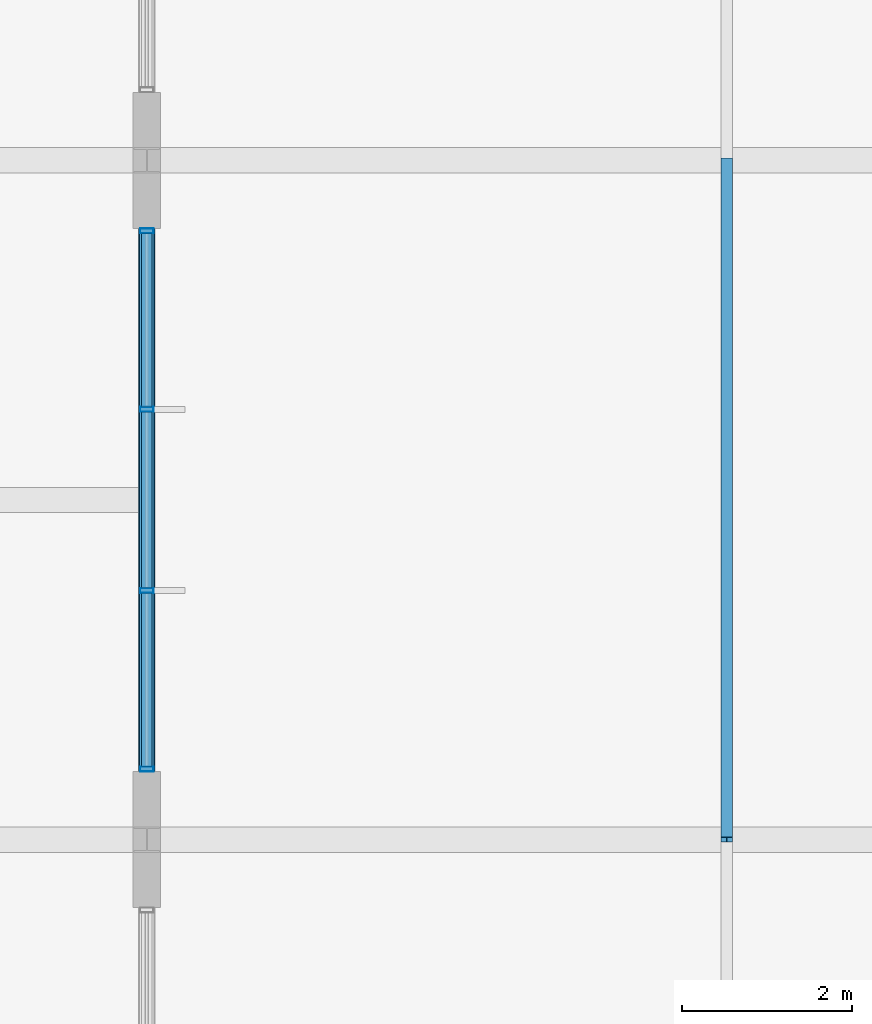
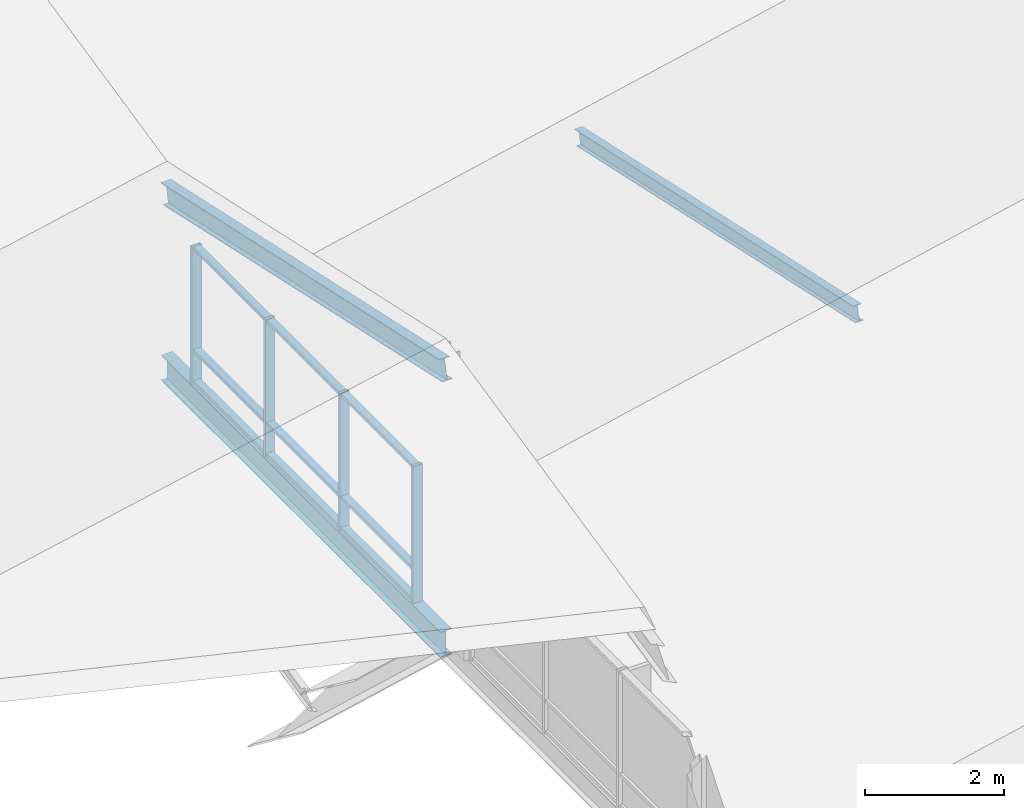
# One storey, part 48 of 109: 14 members, 2 beams, 1 element without a shape of its own.
"""IFC4 building model written with IfcOpenShell, lengths in metres."""

from ifc_helpers import new_model, si_unit, direction, frame, origin, origin_2d, place, context, subcontext, project, spatial, hollow_rectangle, i_section, extrude, material, material_profile, profile_set, type_object, element, aggregate, save


model = new_model("IFC4")

# Units and contexts
model_context = context("Model", 3, precision=1e-05, world=origin(), true_north=direction((0.0, 1.0)))
body_context = subcontext(model_context, "Body", "Model", "MODEL_VIEW")
ifc_project = project(units=[si_unit("LENGTHUNIT", "METRE"), si_unit("AREAUNIT", "SQUARE_METRE"), si_unit("VOLUMEUNIT", "CUBIC_METRE"), si_unit("PLANEANGLEUNIT", "RADIAN"), si_unit("MASSUNIT", "GRAM", prefix="KILO")], contexts=[model_context])

# Site, building, storey
site_placement = place(None, origin())
site = spatial("IfcSite", under=ifc_project, at=site_placement, CompositionType="ELEMENT")
building_placement = place(site_placement, origin())
building = spatial("IfcBuilding", under=site, at=building_placement, Name="Zavelmont Quarter", CompositionType="ELEMENT")
storey_placement = place(building_placement, frame((0.0, 0.0, 8.0)))
storey = spatial("IfcBuildingStorey", under=building, at=storey_placement, Name="L02", CompositionType="ELEMENT", Elevation=8.0)

# Beams
ifc_material_1 = material(Name="Steel S355", Category="steel")
ifc_material_profile_1 = material_profile(ifc_material_1, i_section(OverallWidth=0.18994140625, OverallDepth=0.449951171875, WebThickness=0.009521484375, FlangeThickness=0.0146484375, at=origin_2d()), Name="IPE 450")
ifc_profile_set_1 = profile_set([ifc_material_profile_1], Name="Steel S355")
beam_type_1 = type_object("IfcBeamType", Name="BM12", PredefinedType="BEAM", material=ifc_profile_set_1)
beam_1_placement = place(storey_placement, frame((147.300048828125, 62.0, -0.5849609375), z_axis=(0.0, 1.0, 0.0), x_axis=(-1.0, 0.0, 0.0)))
element("IfcBeam", 1, at=beam_1_placement, inside=storey, type_object=beam_type_1, Name="L02 beam BM12 22/K to 22/L", PredefinedType="BEAM", context=body_context, shape_type="SweptSolid", body=[
    extrude(i_section(OverallWidth=0.18994140625, OverallDepth=0.449951171875, WebThickness=0.009521484375, FlangeThickness=0.0146484375, at=origin_2d()), origin(), (0.0, 0.0, 1.0), 8.0),
])
ifc_material_profile_2 = material_profile(ifc_material_1, i_section(OverallWidth=0.169921875, OverallDepth=0.360107421875, WebThickness=0.008056640625, FlangeThickness=0.0126953125, at=origin_2d()), Name="IPE 360")
ifc_profile_set_2 = profile_set([ifc_material_profile_2], Name="Steel S355")
beam_type_2 = type_object("IfcBeamType", Name="BM13", PredefinedType="BEAM", material=ifc_profile_set_2)
beam_2_placement = place(storey_placement, frame((147.300048828125, 62.0, 4.2099609375), z_axis=(0.0, 0.976900017396, -0.213696878805), x_axis=(-1.0, 0.0, 0.0)))
element("IfcBeam", 2, at=beam_2_placement, inside=storey, type_object=beam_type_2, Name="L02 beam BM13 22/K to 22/L", PredefinedType="BEAM", context=body_context, shape_type="SweptSolid", body=[
    extrude(i_section(OverallWidth=0.169921875, OverallDepth=0.360107421875, WebThickness=0.008056640625, FlangeThickness=0.0126953125, at=origin_2d()), origin(), (0.0, 0.0, 1.0), 8.189208984375),
])

# Curtain wall, members
ifc_material_2 = material(Name="Thermally broken aluminium and double low-E safety glazing", Category="aluminium")
curtain_wall_type = type_object("IfcCurtainWallType", Name="CW-640X240", PredefinedType="NOTDEFINED", material=ifc_material_2)
curtain_wall_placement = place(storey_placement, origin())
curtain_wall = element("IfcCurtainWall", 3, at=curtain_wall_placement, inside=storey, type_object=curtain_wall_type, Name="L02 unitised curtain wall CW-640X240", PredefinedType="NOTDEFINED")
ifc_material_3 = material(Name="Powder-coated aluminium EN AW-6063-T6", Category="aluminium")
ifc_material_profile_3 = material_profile(ifc_material_3, hollow_rectangle(XDim=0.06005859375, YDim=0.159912109375, WallThickness=0.00390625, at=origin_2d()), Name="CWM60X160")
ifc_profile_set_3 = profile_set([ifc_material_profile_3], Name="Powder-coated aluminium EN AW-6063-T6")
member_type_1 = type_object("IfcMemberType", Name="CWM01", PredefinedType="MULLION", material=ifc_profile_set_3)
member_1_placement = place(storey_placement, frame((147.300048828125, 62.830078125, -0.360107421875), z_axis=(0.0, 0.0, 1.0), x_axis=(0.0, 1.0, 0.0)))
member_1 = element("IfcMember", 4, at=member_1_placement, type_object=member_type_1, Name="CW-640X240 mullion 1", PredefinedType="MULLION", context=body_context, shape_type="SweptSolid", body=[
    extrude(hollow_rectangle(XDim=0.06005859375, YDim=0.159912109375, WallThickness=0.00390625, at=origin_2d()), origin(), (0.0, 0.0, 1.0), 2.400146484375),
])
member_2_placement = place(storey_placement, frame((147.300048828125, 64.933349609375, -0.360107421875), z_axis=(0.0, 0.0, 1.0), x_axis=(0.0, 1.0, 0.0)))
member_2 = element("IfcMember", 5, at=member_2_placement, type_object=member_type_1, Name="CW-640X240 mullion 2", PredefinedType="MULLION", context=body_context, shape_type="SweptSolid", body=[
    extrude(hollow_rectangle(XDim=0.06005859375, YDim=0.159912109375, WallThickness=0.00390625, at=origin_2d()), origin(), (0.0, 0.0, 1.0), 2.400146484375),
])
member_3_placement = place(storey_placement, frame((147.300048828125, 67.066650390625, -0.360107421875), z_axis=(0.0, 0.0, 1.0), x_axis=(0.0, 1.0, 0.0)))
member_3 = element("IfcMember", 6, at=member_3_placement, type_object=member_type_1, Name="CW-640X240 mullion 3", PredefinedType="MULLION", context=body_context, shape_type="SweptSolid", body=[
    extrude(hollow_rectangle(XDim=0.06005859375, YDim=0.159912109375, WallThickness=0.00390625, at=origin_2d()), origin(), (0.0, 0.0, 1.0), 2.400146484375),
])
member_4_placement = place(storey_placement, frame((147.300048828125, 69.169921875, -0.360107421875), z_axis=(0.0, 0.0, 1.0), x_axis=(0.0, 1.0, 0.0)))
member_4 = element("IfcMember", 7, at=member_4_placement, type_object=member_type_1, Name="CW-640X240 mullion 4", PredefinedType="MULLION", context=body_context, shape_type="SweptSolid", body=[
    extrude(hollow_rectangle(XDim=0.06005859375, YDim=0.159912109375, WallThickness=0.00390625, at=origin_2d()), origin(), (0.0, 0.0, 1.0), 2.400146484375),
])
ifc_material_profile_4 = material_profile(ifc_material_3, hollow_rectangle(XDim=0.1201171875, YDim=0.06005859375, WallThickness=0.00390625, at=origin_2d()), Name="CWT60X120")
ifc_profile_set_4 = profile_set([ifc_material_profile_4], Name="Powder-coated aluminium EN AW-6063-T6")
member_type_2 = type_object("IfcMemberType", Name="CWT01", PredefinedType="NOTDEFINED", material=ifc_profile_set_4)
member_5_placement = place(storey_placement, frame((147.300048828125, 62.860107421875, -0.330078125), z_axis=(0.0, 1.0, 0.0), x_axis=(-1.0, 0.0, 0.0)))
member_5 = element("IfcMember", 8, at=member_5_placement, type_object=member_type_2, Name="CW-640X240 transom 1.1", ObjectType="TRANSOM", PredefinedType="USERDEFINED", context=body_context, shape_type="SweptSolid", body=[
    extrude(hollow_rectangle(XDim=0.1201171875, YDim=0.06005859375, WallThickness=0.00390625, at=origin_2d()), origin(), (0.0, 0.0, 1.0), 2.043212890625),
])
member_6_placement = place(storey_placement, frame((147.300048828125, 62.860107421875, 0.216064453125), z_axis=(0.0, 1.0, 0.0), x_axis=(-1.0, 0.0, 0.0)))
member_6 = element("IfcMember", 9, at=member_6_placement, type_object=member_type_2, Name="CW-640X240 transom 1.2", ObjectType="TRANSOM", PredefinedType="USERDEFINED", context=body_context, shape_type="SweptSolid", body=[
    extrude(hollow_rectangle(XDim=0.1201171875, YDim=0.06005859375, WallThickness=0.00390625, at=origin_2d()), origin(), (0.0, 0.0, 1.0), 2.043212890625),
])
member_7_placement = place(storey_placement, frame((147.300048828125, 62.860107421875, 2.010009765625), z_axis=(0.0, 1.0, 0.0), x_axis=(-1.0, 0.0, 0.0)))
member_7 = element("IfcMember", 10, at=member_7_placement, type_object=member_type_2, Name="CW-640X240 transom 1.3", ObjectType="TRANSOM", PredefinedType="USERDEFINED", context=body_context, shape_type="SweptSolid", body=[
    extrude(hollow_rectangle(XDim=0.1201171875, YDim=0.06005859375, WallThickness=0.00390625, at=origin_2d()), origin(), (0.0, 0.0, 1.0), 2.043212890625),
])
member_8_placement = place(storey_placement, frame((147.300048828125, 64.96337890625, -0.330078125), z_axis=(0.0, 1.0, 0.0), x_axis=(-1.0, 0.0, 0.0)))
member_8 = element("IfcMember", 11, at=member_8_placement, type_object=member_type_2, Name="CW-640X240 transom 2.1", ObjectType="TRANSOM", PredefinedType="USERDEFINED", context=body_context, shape_type="SweptSolid", body=[
    extrude(hollow_rectangle(XDim=0.1201171875, YDim=0.06005859375, WallThickness=0.00390625, at=origin_2d()), origin(), (0.0, 0.0, 1.0), 2.0732421875),
])
member_9_placement = place(storey_placement, frame((147.300048828125, 64.96337890625, 0.216064453125), z_axis=(0.0, 1.0, 0.0), x_axis=(-1.0, 0.0, 0.0)))
member_9 = element("IfcMember", 12, at=member_9_placement, type_object=member_type_2, Name="CW-640X240 transom 2.2", ObjectType="TRANSOM", PredefinedType="USERDEFINED", context=body_context, shape_type="SweptSolid", body=[
    extrude(hollow_rectangle(XDim=0.1201171875, YDim=0.06005859375, WallThickness=0.00390625, at=origin_2d()), origin(), (0.0, 0.0, 1.0), 2.0732421875),
])
member_10_placement = place(storey_placement, frame((147.300048828125, 64.96337890625, 2.010009765625), z_axis=(0.0, 1.0, 0.0), x_axis=(-1.0, 0.0, 0.0)))
member_10 = element("IfcMember", 13, at=member_10_placement, type_object=member_type_2, Name="CW-640X240 transom 2.3", ObjectType="TRANSOM", PredefinedType="USERDEFINED", context=body_context, shape_type="SweptSolid", body=[
    extrude(hollow_rectangle(XDim=0.1201171875, YDim=0.06005859375, WallThickness=0.00390625, at=origin_2d()), origin(), (0.0, 0.0, 1.0), 2.0732421875),
])
member_11_placement = place(storey_placement, frame((147.300048828125, 67.0966796875, -0.330078125), z_axis=(0.0, 1.0, 0.0), x_axis=(-1.0, 0.0, 0.0)))
member_11 = element("IfcMember", 14, at=member_11_placement, type_object=member_type_2, Name="CW-640X240 transom 3.1", ObjectType="TRANSOM", PredefinedType="USERDEFINED", context=body_context, shape_type="SweptSolid", body=[
    extrude(hollow_rectangle(XDim=0.1201171875, YDim=0.06005859375, WallThickness=0.00390625, at=origin_2d()), origin(), (0.0, 0.0, 1.0), 2.043212890625),
])
member_12_placement = place(storey_placement, frame((147.300048828125, 67.0966796875, 0.216064453125), z_axis=(0.0, 1.0, 0.0), x_axis=(-1.0, 0.0, 0.0)))
member_12 = element("IfcMember", 15, at=member_12_placement, type_object=member_type_2, Name="CW-640X240 transom 3.2", ObjectType="TRANSOM", PredefinedType="USERDEFINED", context=body_context, shape_type="SweptSolid", body=[
    extrude(hollow_rectangle(XDim=0.1201171875, YDim=0.06005859375, WallThickness=0.00390625, at=origin_2d()), origin(), (0.0, 0.0, 1.0), 2.043212890625),
])
member_13_placement = place(storey_placement, frame((147.300048828125, 67.0966796875, 2.010009765625), z_axis=(0.0, 1.0, 0.0), x_axis=(-1.0, 0.0, 0.0)))
member_13 = element("IfcMember", 16, at=member_13_placement, type_object=member_type_2, Name="CW-640X240 transom 3.3", ObjectType="TRANSOM", PredefinedType="USERDEFINED", context=body_context, shape_type="SweptSolid", body=[
    extrude(hollow_rectangle(XDim=0.1201171875, YDim=0.06005859375, WallThickness=0.00390625, at=origin_2d()), origin(), (0.0, 0.0, 1.0), 2.043212890625),
])
aggregate(curtain_wall, [member_1, member_2, member_3, member_4, member_5, member_6, member_7, member_8, member_9, member_10, member_11, member_12, member_13])

# Member
ifc_material_profile_5 = material_profile(ifc_material_1, i_section(OverallWidth=0.135009765625, OverallDepth=0.27001953125, WebThickness=0.006591796875, FlangeThickness=0.01025390625, at=origin_2d()), Name="IPE 270")
ifc_profile_set_5 = profile_set([ifc_material_profile_5], Name="Steel S355")
member_type_3 = type_object("IfcMemberType", Name="PR01", PredefinedType="PURLIN", material=ifc_profile_set_5)
member_14_placement = place(storey_placement, frame((154.131103515625, 62.0, 2.79638671875), z_axis=(0.0, 0.976900017396, -0.213696878805), x_axis=(-1.0, 0.0, 0.0)))
element("IfcMember", 17, at=member_14_placement, inside=storey, type_object=member_type_3, Name="L02 member PR01 23/K to 23/L", PredefinedType="PURLIN", context=body_context, shape_type="SweptSolid", body=[
    extrude(i_section(OverallWidth=0.135009765625, OverallDepth=0.27001953125, WebThickness=0.006591796875, FlangeThickness=0.01025390625, at=origin_2d()), origin(), (0.0, 0.0, 1.0), 8.189208984375),
])

save(model, "model.ifc")
